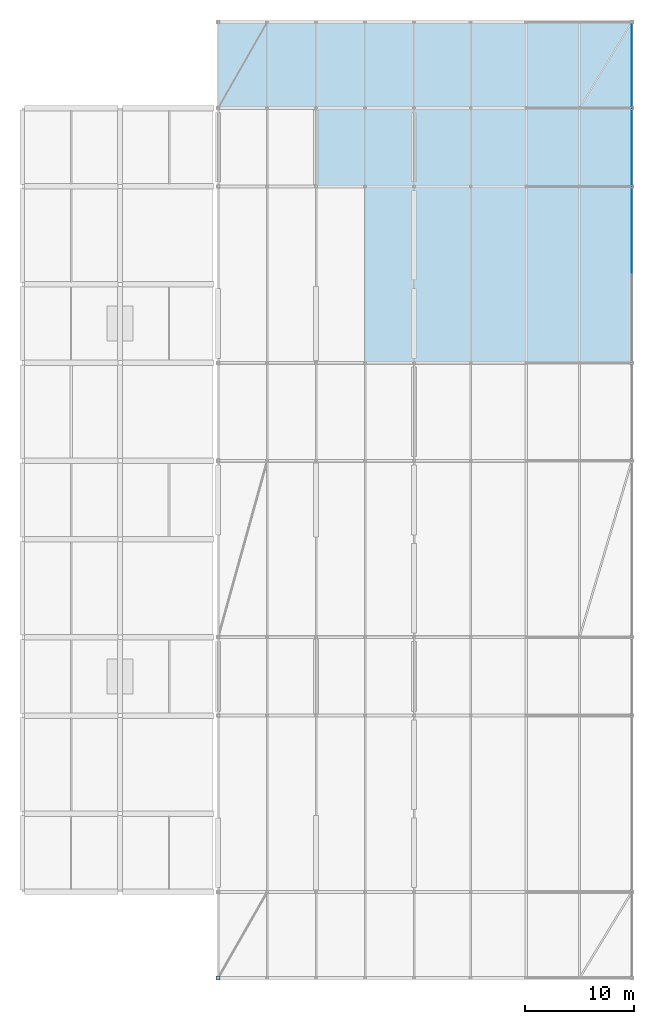
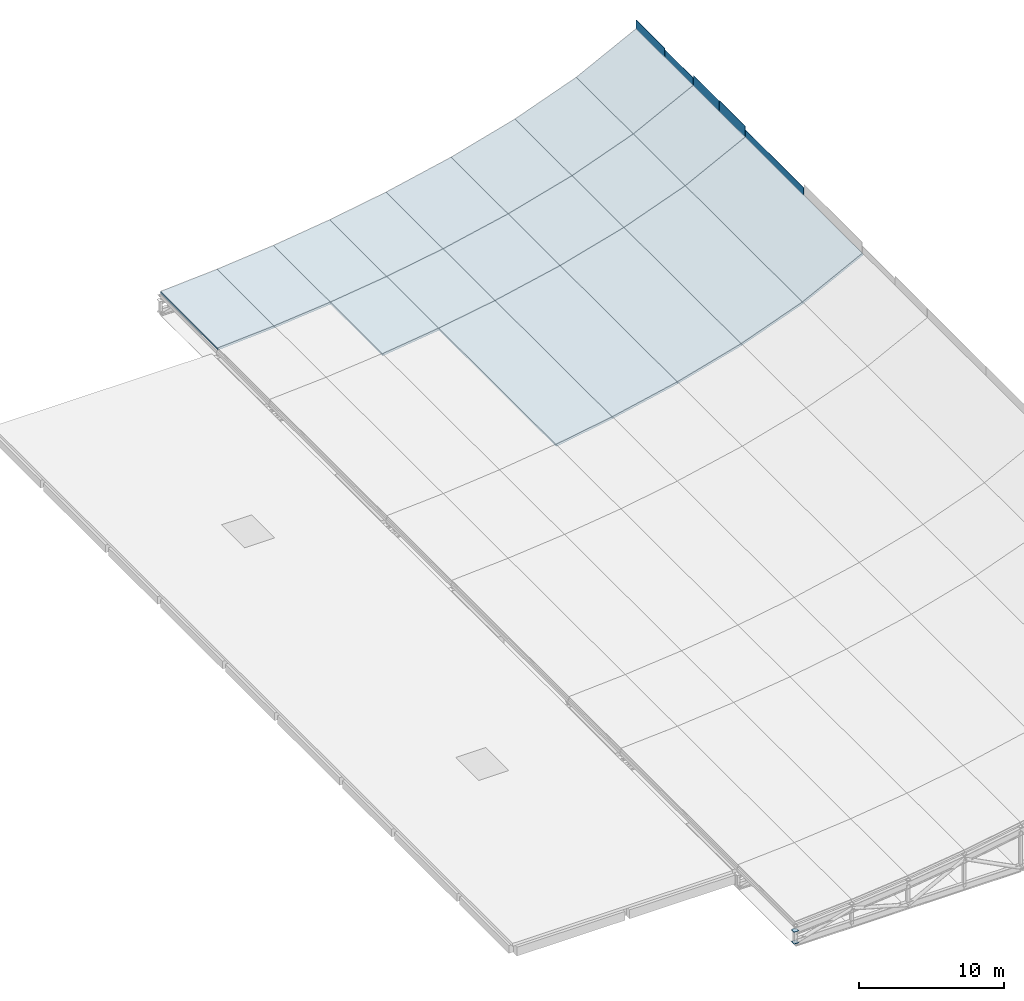
# One storey, part 20 of 24: 19 slabs, 7 plates.
"""IFC4 building model written with IfcOpenShell, lengths in metres."""

from ifc_helpers import new_model, si_unit, direction, frame, origin, origin_2d, place, context, subcontext, project, spatial, polyline, rectangle, outline, extrude, material, layer, layer_set, type_object, element, save


model = new_model("IFC4")

# Units and contexts
model_context = context("Model", 3, precision=1e-05, world=origin(), true_north=direction((0.0, 1.0)))
body_context = subcontext(model_context, "Body", "Model", "MODEL_VIEW")
ifc_project = project(units=[si_unit("LENGTHUNIT", "METRE"), si_unit("AREAUNIT", "SQUARE_METRE"), si_unit("VOLUMEUNIT", "CUBIC_METRE"), si_unit("PLANEANGLEUNIT", "RADIAN"), si_unit("MASSUNIT", "GRAM", prefix="KILO"), si_unit("THERMODYNAMICTEMPERATUREUNIT", "KELVIN"), si_unit("POWERUNIT", "WATT")], contexts=[model_context])

# Site, building, storey
site_placement = place(None, origin())
site = spatial("IfcSite", under=ifc_project, at=site_placement, CompositionType="ELEMENT")
building_placement = place(site_placement, origin())
building = spatial("IfcBuilding", under=site, at=building_placement, Name="Sindhuravela Promenade Stadium", CompositionType="ELEMENT")
storey_placement = place(building_placement, frame((0.0, 0.0, 28.800048828125)))
storey = spatial("IfcBuildingStorey", under=building, at=storey_placement, Name="RF", CompositionType="ELEMENT", Elevation=28.800048828125)

# Slabs
ifc_material_1 = material(Name="Concrete M40", Category="concrete")
ifc_layer_1 = layer(ifc_material_1, 0.169921875)
ifc_layer_set_1 = layer_set([ifc_layer_1], Name="Concrete M40")
slab_type = type_object("IfcSlabType", Name="SL-WAV-170", PredefinedType="ROOF", material=ifc_layer_set_1)
slab_1_placement = place(storey_placement, frame((31.5, 93.60009765625, 1.623046875), z_axis=(-0.16674069209504494, 0.0, 0.9860007817439425), x_axis=(0.0, 1.0, 0.0)))
element("IfcSlab", 1, at=slab_1_placement, inside=storey, type_object=slab_type, Name="Stand canopy roof slab W bay 6.4", PredefinedType="ROOF", context=body_context, shape_type="SweptSolid", body=[
    extrude(outline(polyline([(0.0, 0.0), (0.0, -4.563890904874171), (16.199951171875, -4.563890904874171), (16.199951171875, 0.0), (0.0, 0.0)])), origin(), (0.0, 0.0, -1.0), 0.169921875),
])
slab_2_placement = place(storey_placement, frame((36.0, 93.60009765625, 2.384033203125), z_axis=(-0.21242012068609856, 0.0, 0.9771784342317954), x_axis=(0.0, 1.0, 0.0)))
element("IfcSlab", 2, at=slab_2_placement, inside=storey, type_object=slab_type, Name="Stand canopy roof slab W bay 6.5", PredefinedType="ROOF", context=body_context, shape_type="SweptSolid", body=[
    extrude(outline(polyline([(0.0, 0.0), (0.0, -5.321393708369055), (16.199951171875, -5.321393708369055), (16.199951171875, 0.0), (0.0, 0.0)])), origin(), (0.0, 0.0, -1.0), 0.169921875),
])
slab_3_placement = place(storey_placement, frame((41.199951171875, 93.60009765625, 3.514404296875), z_axis=(-0.2712445701548118, 0.0, 0.9625104587283878), x_axis=(0.0, 1.0, 0.0)))
element("IfcSlab", 3, at=slab_3_placement, inside=storey, type_object=slab_type, Name="Stand canopy roof slab W bay 6.6", PredefinedType="ROOF", context=body_context, shape_type="SweptSolid", body=[
    extrude(outline(polyline([(0.0, 0.0), (0.0, -5.29874518245542), (16.199951171875, -5.29874518245542), (16.199951171875, 0.0), (0.0, 0.0)])), origin(), (0.0, 0.0, -1.0), 0.169921875),
])
slab_4_placement = place(storey_placement, frame((46.300048828125, 93.60009765625, 4.95166015625), z_axis=(-0.34623168577076896, 0.0, 0.9381490392087665), x_axis=(0.0, 1.0, 0.0)))
element("IfcSlab", 4, at=slab_4_placement, inside=storey, type_object=slab_type, Name="Stand canopy roof slab W bay 6.7", PredefinedType="ROOF", context=body_context, shape_type="SweptSolid", body=[
    extrude(outline(polyline([(0.0, 0.0), (0.0, -5.222946609722663), (16.199951171875, -5.222946609722663), (16.199951171875, 0.0), (0.0, 0.0)])), origin(), (0.0, 0.0, -1.0), 0.169921875),
])
slab_5_placement = place(storey_placement, frame((51.199951171875, 93.60009765625, 6.760009765625), z_axis=(-0.45313431990030884, 0.0, 0.8914422517070214), x_axis=(0.0, 1.0, 0.0)))
element("IfcSlab", 5, at=slab_5_placement, inside=storey, type_object=slab_type, Name="Stand canopy roof slab W bay 6.8", PredefinedType="ROOF", context=body_context, shape_type="SweptSolid", body=[
    extrude(outline(polyline([(0.0, 0.0), (0.0, -5.384587525365096), (16.199951171875, -5.384587525365096), (16.199951171875, 0.0), (0.0, 0.0)])), origin(), (0.0, 0.0, -1.0), 0.169921875),
])
slab_6_placement = place(storey_placement, frame((27.0, 109.800048828125, 1.03369140625), z_axis=(-0.12985890910380446, 0.0, 0.9915324824363395), x_axis=(0.0, 1.0, 0.0)))
element("IfcSlab", 6, at=slab_6_placement, inside=storey, type_object=slab_type, Name="Stand canopy roof slab W bay 7.3", PredefinedType="ROOF", context=body_context, shape_type="SweptSolid", body=[
    extrude(outline(polyline([(0.0, 0.0), (0.0, -4.538429229209765), (7.199951171875, -4.538429229209765), (7.199951171875, 0.0), (0.0, 0.0)])), origin(), (0.0, 0.0, -1.0), 0.169921875),
])
slab_7_placement = place(storey_placement, frame((31.5, 109.800048828125, 1.623046875), z_axis=(-0.16674069209504494, 0.0, 0.9860007817439423), x_axis=(0.0, 1.0, 0.0)))
element("IfcSlab", 7, at=slab_7_placement, inside=storey, type_object=slab_type, Name="Stand canopy roof slab W bay 7.4", PredefinedType="ROOF", context=body_context, shape_type="SweptSolid", body=[
    extrude(outline(polyline([(0.0, 0.0), (0.0, -4.56389090487417), (7.199951171875, -4.56389090487417), (7.199951171875, 0.0), (0.0, 0.0)])), origin(), (0.0, 0.0, -1.0), 0.169921875),
])
slab_8_placement = place(storey_placement, frame((36.0, 109.800048828125, 2.384033203125), z_axis=(-0.21242012068609853, 0.0, 0.9771784342317954), x_axis=(0.0, 1.0, 0.0)))
element("IfcSlab", 8, at=slab_8_placement, inside=storey, type_object=slab_type, Name="Stand canopy roof slab W bay 7.5", PredefinedType="ROOF", context=body_context, shape_type="SweptSolid", body=[
    extrude(outline(polyline([(0.0, 0.0), (0.0, -5.321393708369055), (7.199951171875, -5.321393708369055), (7.199951171875, 0.0), (0.0, 0.0)])), origin(), (0.0, 0.0, -1.0), 0.169921875),
])
slab_9_placement = place(storey_placement, frame((41.199951171875, 109.800048828125, 3.514404296875), z_axis=(-0.2712445701548118, 0.0, 0.9625104587283877), x_axis=(0.0, 1.0, 0.0)))
element("IfcSlab", 9, at=slab_9_placement, inside=storey, type_object=slab_type, Name="Stand canopy roof slab W bay 7.6", PredefinedType="ROOF", context=body_context, shape_type="SweptSolid", body=[
    extrude(outline(polyline([(0.0, 0.0), (0.0, -5.298745182455419), (7.199951171875, -5.298745182455419), (7.199951171875, 0.0), (0.0, 0.0)])), origin(), (0.0, 0.0, -1.0), 0.169921875),
])
slab_10_placement = place(storey_placement, frame((46.300048828125, 109.800048828125, 4.95166015625), z_axis=(-0.34623168577076896, 0.0, 0.9381490392087665), x_axis=(0.0, 1.0, 0.0)))
element("IfcSlab", 10, at=slab_10_placement, inside=storey, type_object=slab_type, Name="Stand canopy roof slab W bay 7.7", PredefinedType="ROOF", context=body_context, shape_type="SweptSolid", body=[
    extrude(outline(polyline([(0.0, 0.0), (0.0, -5.222946609722663), (7.199951171875, -5.222946609722663), (7.199951171875, 0.0), (0.0, 0.0)])), origin(), (0.0, 0.0, -1.0), 0.169921875),
])
slab_11_placement = place(storey_placement, frame((51.199951171875, 109.800048828125, 6.760009765625), z_axis=(-0.4531343199003089, 0.0, 0.8914422517070215), x_axis=(0.0, 1.0, 0.0)))
element("IfcSlab", 11, at=slab_11_placement, inside=storey, type_object=slab_type, Name="Stand canopy roof slab W bay 7.8", PredefinedType="ROOF", context=body_context, shape_type="SweptSolid", body=[
    extrude(outline(polyline([(0.0, 0.0), (0.0, -5.384587525365097), (7.199951171875, -5.384587525365097), (7.199951171875, 0.0), (0.0, 0.0)])), origin(), (0.0, 0.0, -1.0), 0.169921875),
])
slab_12_placement = place(storey_placement, frame((18.0, 117.0, 0.304931640625), z_axis=(-0.06502054008701487, 0.0, 0.997883925798383), x_axis=(0.0, 1.0, 0.0)))
element("IfcSlab", 12, at=slab_12_placement, inside=storey, type_object=slab_type, Name="Stand canopy roof slab W bay 8.1", PredefinedType="ROOF", context=body_context, shape_type="SweptSolid", body=[
    extrude(outline(polyline([(0.0, 0.0), (0.0, -4.509542526601636), (7.89990234375, -4.509542526601636), (7.89990234375, 0.0), (0.0, 0.0)])), origin(), (0.0, 0.0, -1.0), 0.169921875),
])
slab_13_placement = place(storey_placement, frame((22.5, 117.0, 0.59814453125), z_axis=(-0.09633800132330608, 0.0, 0.9953486773493149), x_axis=(0.0, 1.0, 0.0)))
element("IfcSlab", 13, at=slab_13_placement, inside=storey, type_object=slab_type, Name="Stand canopy roof slab W bay 8.2", PredefinedType="ROOF", context=body_context, shape_type="SweptSolid", body=[
    extrude(outline(polyline([(0.0, 0.0), (0.0, -4.521028763492029), (7.89990234375, -4.521028763492029), (7.89990234375, 0.0), (0.0, 0.0)])), origin(), (0.0, 0.0, -1.0), 0.169921875),
])
slab_14_placement = place(storey_placement, frame((27.0, 117.0, 1.03369140625), z_axis=(-0.12985890910380446, 0.0, 0.9915324824363395), x_axis=(0.0, 1.0, 0.0)))
element("IfcSlab", 14, at=slab_14_placement, inside=storey, type_object=slab_type, Name="Stand canopy roof slab W bay 8.3", PredefinedType="ROOF", context=body_context, shape_type="SweptSolid", body=[
    extrude(outline(polyline([(0.0, 0.0), (0.0, -4.538429229209765), (7.89990234375, -4.538429229209765), (7.89990234375, 0.0), (0.0, 0.0)])), origin(), (0.0, 0.0, -1.0), 0.169921875),
])
slab_15_placement = place(storey_placement, frame((31.5, 117.0, 1.623046875), z_axis=(-0.16674069209504494, 0.0, 0.9860007817439422), x_axis=(0.0, 1.0, 0.0)))
element("IfcSlab", 15, at=slab_15_placement, inside=storey, type_object=slab_type, Name="Stand canopy roof slab W bay 8.4", PredefinedType="ROOF", context=body_context, shape_type="SweptSolid", body=[
    extrude(outline(polyline([(0.0, 0.0), (0.0, -4.56389090487417), (7.89990234375, -4.56389090487417), (7.89990234375, 0.0), (0.0, 0.0)])), origin(), (0.0, 0.0, -1.0), 0.169921875),
])
slab_16_placement = place(storey_placement, frame((36.0, 117.0, 2.384033203125), z_axis=(-0.21242012068609856, 0.0, 0.9771784342317955), x_axis=(0.0, 1.0, 0.0)))
element("IfcSlab", 16, at=slab_16_placement, inside=storey, type_object=slab_type, Name="Stand canopy roof slab W bay 8.5", PredefinedType="ROOF", context=body_context, shape_type="SweptSolid", body=[
    extrude(outline(polyline([(0.0, 0.0), (0.0, -5.321393708369055), (7.89990234375, -5.321393708369055), (7.89990234375, 0.0), (0.0, 0.0)])), origin(), (0.0, 0.0, -1.0), 0.169921875),
])
slab_17_placement = place(storey_placement, frame((41.199951171875, 117.0, 3.514404296875), z_axis=(-0.2712445701548118, 0.0, 0.9625104587283877), x_axis=(0.0, 1.0, 0.0)))
element("IfcSlab", 17, at=slab_17_placement, inside=storey, type_object=slab_type, Name="Stand canopy roof slab W bay 8.6", PredefinedType="ROOF", context=body_context, shape_type="SweptSolid", body=[
    extrude(outline(polyline([(0.0, 0.0), (0.0, -5.298745182455419), (7.89990234375, -5.298745182455419), (7.89990234375, 0.0), (0.0, 0.0)])), origin(), (0.0, 0.0, -1.0), 0.169921875),
])
slab_18_placement = place(storey_placement, frame((46.300048828125, 117.0, 4.95166015625), z_axis=(-0.34623168577076896, 0.0, 0.9381490392087665), x_axis=(0.0, 1.0, 0.0)))
element("IfcSlab", 18, at=slab_18_placement, inside=storey, type_object=slab_type, Name="Stand canopy roof slab W bay 8.7", PredefinedType="ROOF", context=body_context, shape_type="SweptSolid", body=[
    extrude(outline(polyline([(0.0, 0.0), (0.0, -5.222946609722663), (7.89990234375, -5.222946609722663), (7.89990234375, 0.0), (0.0, 0.0)])), origin(), (0.0, 0.0, -1.0), 0.169921875),
])
slab_19_placement = place(storey_placement, frame((51.199951171875, 117.0, 6.760009765625), z_axis=(-0.4531343199003089, 0.0, 0.8914422517070215), x_axis=(0.0, 1.0, 0.0)))
element("IfcSlab", 19, at=slab_19_placement, inside=storey, type_object=slab_type, Name="Stand canopy roof slab W bay 8.8", PredefinedType="ROOF", context=body_context, shape_type="SweptSolid", body=[
    extrude(outline(polyline([(0.0, 0.0), (0.0, -5.384587525365097), (7.89990234375, -5.384587525365097), (7.89990234375, 0.0), (0.0, 0.0)])), origin(), (0.0, 0.0, -1.0), 0.169921875),
])

# Plates
ifc_material_2 = material(Name="Steel E350 (IS 2062 E350BR)", Category="steel")
ifc_layer_2 = layer(ifc_material_2, 0.033935546875)
ifc_layer_set_2 = layer_set([ifc_layer_2], Name="Steel E350 (IS 2062 E350BR)")
plate_type_1 = type_object("IfcPlateType", Name="ST-PL-CAP34", PredefinedType="USERDEFINED", material=ifc_layer_set_2)
for number, where, z_axis, x_axis, name in (
    (20, (18.0, 37.10009765625, -0.4169921875), (0.0, 0.0, 1.0), (1.0, 0.0, 0.0), "Truss end gusset cap plate CP02 W01-1T"),
    (21, (18.0, 37.10009765625, -1.4169921875), (0.0, 0.0, 1.0), (1.0, 0.0, 0.0), "Truss end gusset cap plate CP02 W01-1B"),
):
    element("IfcPlate", number, at=place(storey_placement, frame(where, z_axis=z_axis, x_axis=x_axis)), inside=storey, type_object=plate_type_1, Name=name, ObjectType="GUSSET PLATE", PredefinedType="USERDEFINED", context=body_context, shape_type="SweptSolid", body=[
        extrude(rectangle(XDim=0.3798828125, YDim=0.3798828125, at=origin_2d()), origin(), (0.0, 0.0, 1.0), 0.033935546875),
    ])
ifc_layer_3 = layer(ifc_material_2, 0.013916015625)
ifc_layer_set_3 = layer_set([ifc_layer_3], Name="Steel E350 (IS 2062 E350BR)")
plate_type_2 = type_object("IfcPlateType", Name="ST-PL-FAS14", PredefinedType="SHEET", material=ifc_layer_set_3)
plate_1_placement = place(storey_placement, frame((56.0, 115.199951171875, 9.079833984375), z_axis=(0.0, 0.0, 1.0), x_axis=(0.0, 1.0, 0.0)))
element("IfcPlate", 22, at=plate_1_placement, inside=storey, type_object=plate_type_2, Name="Breaking-wave roof crest fascia plate W 7.2", PredefinedType="SHEET", context=body_context, shape_type="SweptSolid", body=[
    extrude(rectangle(XDim=3.56005859375, YDim=0.013916015625, at=origin_2d()), origin(), (0.0, 0.0, 1.0), 0.97412109375),
])
plate_2_placement = place(storey_placement, frame((56.0, 118.97509765625, 9.080078125), z_axis=(0.0, 0.0, 1.0), x_axis=(0.0, 1.0, 0.0)))
element("IfcPlate", 23, at=plate_2_placement, inside=storey, type_object=plate_type_2, Name="Breaking-wave roof crest fascia plate W 8.1", PredefinedType="SHEET", context=body_context, shape_type="SweptSolid", body=[
    extrude(rectangle(XDim=3.909912109375, YDim=0.013916015625, at=origin_2d()), origin(), (0.0, 0.0, 1.0), 0.7529296875),
])
ifc_layer_4 = layer(ifc_material_2, 0.02392578125)
ifc_layer_set_4 = layer_set([ifc_layer_4], Name="Steel E350 (IS 2062 E350BR)")
plate_type_3 = type_object("IfcPlateType", Name="ST-PL-FAS24", PredefinedType="SHEET", material=ifc_layer_set_4)
plate_3_placement = place(storey_placement, frame((56.0, 105.75, 9.080078125), z_axis=(0.0, 0.0, 1.0), x_axis=(0.0, 1.0, 0.0)))
element("IfcPlate", 24, at=plate_3_placement, inside=storey, type_object=plate_type_3, Name="Breaking-wave roof crest fascia plate W 6.2", PredefinedType="SHEET", context=body_context, shape_type="SweptSolid", body=[
    extrude(rectangle(XDim=8.06005859375, YDim=0.02392578125, at=origin_2d()), origin(), (0.0, 0.0, 1.0), 0.740966796875),
])
plate_4_placement = place(storey_placement, frame((56.0, 111.60009765625, 9.079833984375), z_axis=(0.0, 0.0, 1.0), x_axis=(0.0, 1.0, 0.0)))
element("IfcPlate", 25, at=plate_4_placement, inside=storey, type_object=plate_type_3, Name="Breaking-wave roof crest fascia plate W 7.1", PredefinedType="SHEET", context=body_context, shape_type="SweptSolid", body=[
    extrude(rectangle(XDim=3.56005859375, YDim=0.02392578125, at=origin_2d()), origin(), (0.0, 0.0, 1.0), 1.0419921875),
])
plate_5_placement = place(storey_placement, frame((56.0, 122.925048828125, 9.080078125), z_axis=(0.0, 0.0, 1.0), x_axis=(0.0, 1.0, 0.0)))
element("IfcPlate", 26, at=plate_5_placement, inside=storey, type_object=plate_type_3, Name="Breaking-wave roof crest fascia plate W 8.2", PredefinedType="SHEET", context=body_context, shape_type="SweptSolid", body=[
    extrude(rectangle(XDim=3.909912109375, YDim=0.02392578125, at=origin_2d()), origin(), (0.0, 0.0, 1.0), 0.860107421875),
])

save(model, "model.ifc")
